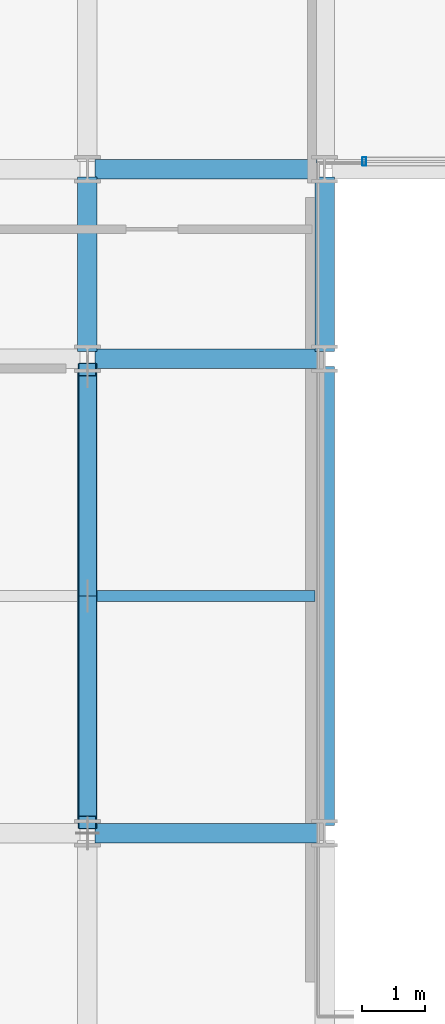
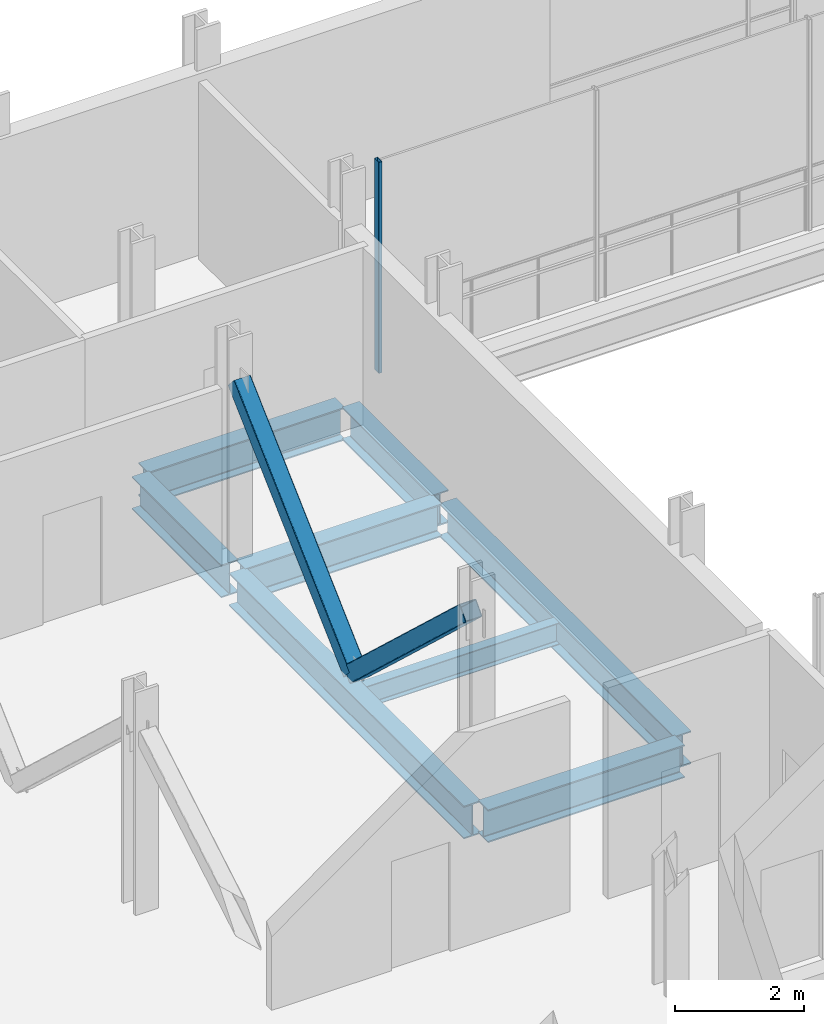
# One storey, part 10 of 32: 8 beams, 3 members, 1 element without a shape of its own.
"""IFC4 building model written with IfcOpenShell, lengths in metres."""

from ifc_helpers import new_model, si_unit, direction, frame, origin, origin_2d, place, context, subcontext, project, spatial, hollow_rectangle, i_section, extrude, material, layer, layer_set, material_profile, profile_set, type_object, element, aggregate, save


model = new_model("IFC4")

# Units and contexts
model_context = context("Model", 3, precision=1e-05, world=origin(), true_north=direction((0.0, 1.0)))
body_context = subcontext(model_context, "Body", "Model", "MODEL_VIEW")
ifc_project = project(units=[si_unit("LENGTHUNIT", "METRE"), si_unit("AREAUNIT", "SQUARE_METRE"), si_unit("VOLUMEUNIT", "CUBIC_METRE"), si_unit("PLANEANGLEUNIT", "RADIAN"), si_unit("MASSUNIT", "GRAM", prefix="KILO")], contexts=[model_context])

# Site, building, storey
site_placement = place(None, origin())
site = spatial("IfcSite", under=ifc_project, at=site_placement, CompositionType="ELEMENT")
building_placement = place(site_placement, origin())
building = spatial("IfcBuilding", under=site, at=building_placement, Name="Brevholm Reach", CompositionType="ELEMENT")
storey_placement = place(building_placement, frame((0.0, 0.0, 96.199951171875)))
storey = spatial("IfcBuildingStorey", under=building, at=storey_placement, Name="L28", CompositionType="ELEMENT", Elevation=96.199951171875)

# Beams
ifc_material_1 = material(Name="Structural Steel S355J2", Category="steel")
ifc_material_profile_1 = material_profile(ifc_material_1, i_section(OverallWidth=0.177978515625, OverallDepth=0.406494140625, WebThickness=0.0078125, FlangeThickness=0.0126953125, FilletRadius=0.01025390625, at=origin_2d()), Name="UKB 406x178x60")
ifc_profile_set_1 = profile_set([ifc_material_profile_1], Name="Structural Steel S355J2")
beam_type_1 = type_object("IfcBeamType", Name="BM-B406", PredefinedType="BEAM", material=ifc_profile_set_1)
beam_1_placement = place(storey_placement, frame((18.153564453125, 19.75, -0.463134765625), z_axis=(1.0, 0.0, 0.0), x_axis=(0.0, 1.0, 0.0)))
element("IfcBeam", 1, at=beam_1_placement, inside=storey, type_object=beam_type_1, Name="L28 Composite Secondary Floor Beam", PredefinedType="BEAM", context=body_context, shape_type="SweptSolid", body=[
    extrude(i_section(OverallWidth=0.177978515625, OverallDepth=0.406494140625, WebThickness=0.0078125, FlangeThickness=0.0126953125, FilletRadius=0.01025390625, at=origin_2d()), origin(), (0.0, 0.0, 1.0), 3.44287109375),
])
ifc_material_2 = material(Name="Structural Steel S355J2", Category="steel")
ifc_material_profile_2 = material_profile(ifc_material_2, i_section(OverallWidth=0.30712890625, OverallDepth=0.6201171875, WebThickness=0.01416015625, FlangeThickness=0.023681640625, FilletRadius=0.0166015625, at=origin_2d()), Name="UKB 610x305x179")
ifc_profile_set_2 = profile_set([ifc_material_profile_2], Name="Structural Steel S355J2")
beam_type_2 = type_object("IfcBeamType", Name="BM-UKB610H", PredefinedType="USERDEFINED", material=ifc_profile_set_2)
for number, where, z_axis, x_axis, name in (
    (2, (18.1201171875, 16.0, -0.570068359375), (1.0, 0.0, 0.0), (0.0, 1.0, 0.0), "L28 G-06 Framing Beam"),
    (3, (18.1201171875, 23.5, -0.570068359375), (1.0, 0.0, 0.0), (0.0, 1.0, 0.0), "L28 G-06 Framing Beam"),
    (4, (18.1201171875, 26.5, -0.570068359375), (1.0, 0.0, 0.0), (0.0, 1.0, 0.0), "L28 G-06 Framing Beam"),
):
    element("IfcBeam", number, at=place(storey_placement, frame(where, z_axis=z_axis, x_axis=x_axis)), inside=storey, type_object=beam_type_2, Name=name, ObjectType="GIRDER", PredefinedType="USERDEFINED", context=body_context, shape_type="SweptSolid", body=[
        extrude(i_section(OverallWidth=0.30712890625, OverallDepth=0.6201171875, WebThickness=0.01416015625, FlangeThickness=0.023681640625, FilletRadius=0.0166015625, at=origin_2d()), origin(), (0.0, 0.0, 1.0), 3.509765625),
    ])
beam_2_placement = place(storey_placement, frame((18.0, 16.1201171875, -0.570068359375), z_axis=(0.0, 1.0, 0.0), x_axis=(-1.0, 0.0, 0.0)))
element("IfcBeam", 5, at=beam_2_placement, inside=storey, type_object=beam_type_2, Name="L28 G-06 Framing Beam", ObjectType="GIRDER", PredefinedType="USERDEFINED", context=body_context, shape_type="SweptSolid", body=[
    extrude(i_section(OverallWidth=0.30712890625, OverallDepth=0.6201171875, WebThickness=0.01416015625, FlangeThickness=0.023681640625, FilletRadius=0.0166015625, at=origin_2d()), origin(), (0.0, 0.0, 1.0), 7.259765625),
])
beam_3_placement = place(storey_placement, frame((18.0, 23.6201171875, -0.570068359375), z_axis=(0.0, 1.0, 0.0), x_axis=(-1.0, 0.0, 0.0)))
element("IfcBeam", 6, at=beam_3_placement, inside=storey, type_object=beam_type_2, Name="L28 G-06 Framing Beam", ObjectType="GIRDER", PredefinedType="USERDEFINED", context=body_context, shape_type="SweptSolid", body=[
    extrude(i_section(OverallWidth=0.30712890625, OverallDepth=0.6201171875, WebThickness=0.01416015625, FlangeThickness=0.023681640625, FilletRadius=0.0166015625, at=origin_2d()), origin(), (0.0, 0.0, 1.0), 2.759765625),
])
beam_4_placement = place(storey_placement, frame((21.75, 16.1201171875, -0.570068359375), z_axis=(0.0, 1.0, 0.0), x_axis=(-1.0, 0.0, 0.0)))
element("IfcBeam", 7, at=beam_4_placement, inside=storey, type_object=beam_type_2, Name="L28 G-06 Framing Beam", ObjectType="GIRDER", PredefinedType="USERDEFINED", context=body_context, shape_type="SweptSolid", body=[
    extrude(i_section(OverallWidth=0.30712890625, OverallDepth=0.6201171875, WebThickness=0.01416015625, FlangeThickness=0.023681640625, FilletRadius=0.0166015625, at=origin_2d()), origin(), (0.0, 0.0, 1.0), 7.259765625),
])
beam_5_placement = place(storey_placement, frame((21.75, 23.6201171875, -0.570068359375), z_axis=(0.0, 1.0, 0.0), x_axis=(-1.0, 0.0, 0.0)))
element("IfcBeam", 8, at=beam_5_placement, inside=storey, type_object=beam_type_2, Name="L28 G-06 Framing Beam", ObjectType="GIRDER", PredefinedType="USERDEFINED", context=body_context, shape_type="SweptSolid", body=[
    extrude(i_section(OverallWidth=0.30712890625, OverallDepth=0.6201171875, WebThickness=0.01416015625, FlangeThickness=0.023681640625, FilletRadius=0.0166015625, at=origin_2d()), origin(), (0.0, 0.0, 1.0), 2.759765625),
])

# Curtain wall, member
ifc_material_3 = material(Name="Dark Anodised Aluminium 6063-T6 and Solar-Control Glass", Category="aluminium")
ifc_layer = layer(ifc_material_3, 0.139892578125)
ifc_layer_set = layer_set([ifc_layer], Name="Dark Anodised Aluminium 6063-T6 and Solar-Control Glass")
curtain_wall_type = type_object("IfcCurtainWallType", Name="CW-02", PredefinedType="NOTDEFINED", material=ifc_layer_set)
curtain_wall_placement = place(storey_placement, origin())
curtain_wall = element("IfcCurtainWall", 9, at=curtain_wall_placement, inside=storey, type_object=curtain_wall_type, Name="L28 Curtain Wall CW-02", PredefinedType="NOTDEFINED")
ifc_material_4 = material(Name="Dark Anodised Aluminium 6063-T6", Category="aluminium")
ifc_material_profile_3 = material_profile(ifc_material_4, hollow_rectangle(XDim=0.06005859375, YDim=0.139892578125, WallThickness=0.0048828125, InnerFilletRadius=0.0048828125, OuterFilletRadius=0.010009765625, at=origin_2d()), Name="RHS 140x60x5")
ifc_profile_set_3 = profile_set([ifc_material_profile_3], Name="Dark Anodised Aluminium 6063-T6")
member_type_1 = type_object("IfcMemberType", Name="CWM-140", PredefinedType="MULLION", material=ifc_profile_set_3)
member_placement = place(storey_placement, frame((22.3798828125, 26.6201171875, 0.0), z_axis=(0.0, 0.0, 1.0), x_axis=(-1.0, 0.0, 0.0)))
member = element("IfcMember", 10, at=member_placement, type_object=member_type_1, Name="CM-140 Mullion 5", PredefinedType="MULLION", context=body_context, shape_type="SweptSolid", body=[
    extrude(hollow_rectangle(XDim=0.06005859375, YDim=0.139892578125, WallThickness=0.0048828125, InnerFilletRadius=0.0048828125, OuterFilletRadius=0.010009765625, at=origin_2d()), origin(), (0.0, 0.0, 1.0), 3.97998046875),
])
aggregate(curtain_wall, [member])

# Members
ifc_material_5 = material(Name="Structural Steel S460NH", Category="steel")
ifc_material_profile_4 = material_profile(ifc_material_5, hollow_rectangle(XDim=0.300048828125, YDim=0.300048828125, WallThickness=0.012451171875, InnerFilletRadius=0.011962890625, OuterFilletRadius=0.02392578125, at=origin_2d()), Name="SHS 300x300x12.5")
ifc_profile_set_4 = profile_set([ifc_material_profile_4], Name="Structural Steel S460NH")
member_type_2 = type_object("IfcMemberType", Name="MEM-OB-SHS300", PredefinedType="BRACE", material=ifc_profile_set_4)
for number, where, z_axis, x_axis, name in (
    (11, (18.0, 16.169921875, 3.352783203125), (0.0, 0.731936034161, -0.681373349858), (-1.0, 0.0, 0.0), "L28 Outrigger Truss Diagonal X18.1"),
    (12, (18.0, 19.75, 0.02001953125), (0.0, 0.731936034161, 0.681373349858), (-1.0, 0.0, 0.0), "L28 Outrigger Truss Diagonal X18.2"),
):
    element("IfcMember", number, at=place(storey_placement, frame(where, z_axis=z_axis, x_axis=x_axis)), inside=storey, type_object=member_type_2, Name=name, PredefinedType="BRACE", context=body_context, shape_type="SweptSolid", body=[
        extrude(hollow_rectangle(XDim=0.300048828125, YDim=0.300048828125, WallThickness=0.012451171875, InnerFilletRadius=0.011962890625, OuterFilletRadius=0.02392578125, at=origin_2d()), origin(), (0.0, 0.0, 1.0), 4.891357421875),
    ])

save(model, "model.ifc")
